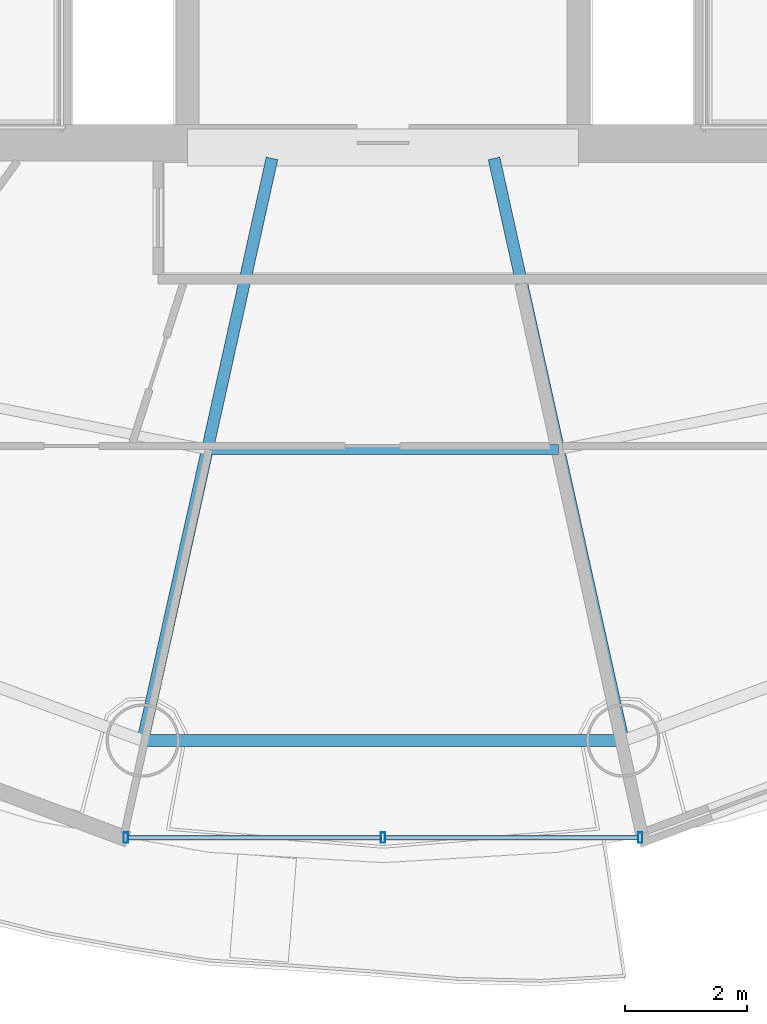
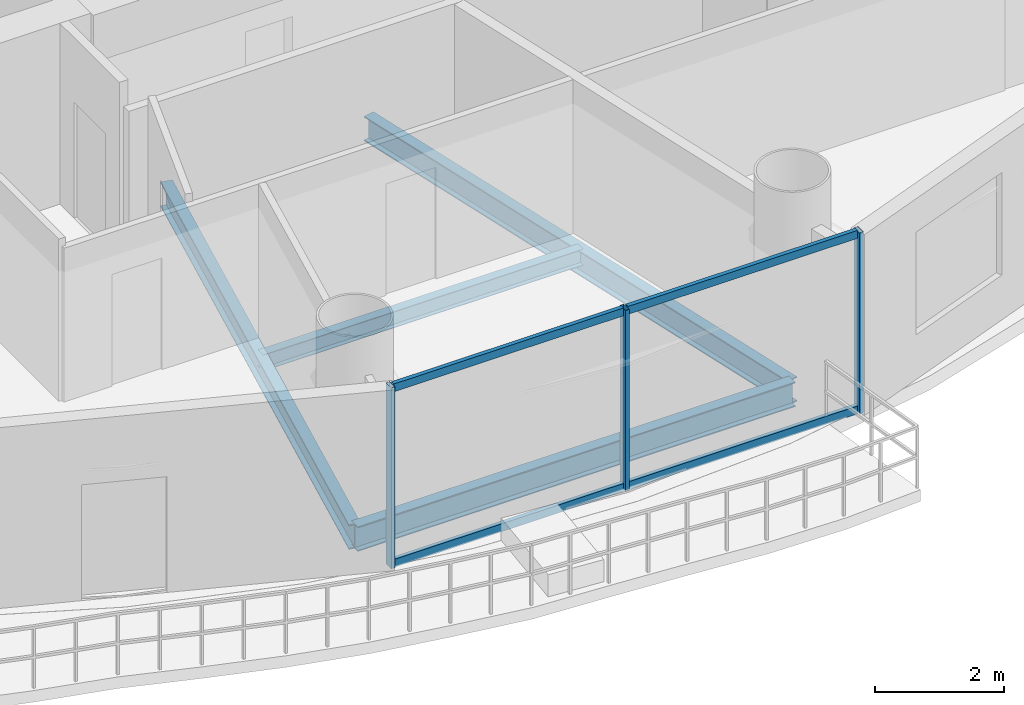
# One storey, part 5 of 27: 7 members, 4 beams, 1 element without a shape of its own.
"""IFC4 building model written with IfcOpenShell, lengths in metres."""

from ifc_helpers import new_model, si_unit, direction, frame, origin, origin_2d, place, context, subcontext, project, spatial, hollow_rectangle, i_section, extrude, source, transform, mapped, material, material_profile, profile_set, type_object, element, aggregate, save


model = new_model("IFC4")

# Units and contexts
model_context = context("Model", 3, precision=1e-05, world=origin(), true_north=direction((-0.2419218956, 0.970295726276)))
body_context = subcontext(model_context, "Body", "Model", "MODEL_VIEW")
ifc_project = project(units=[si_unit("LENGTHUNIT", "METRE"), si_unit("AREAUNIT", "SQUARE_METRE"), si_unit("VOLUMEUNIT", "CUBIC_METRE"), si_unit("PLANEANGLEUNIT", "RADIAN"), si_unit("MASSUNIT", "GRAM", prefix="KILO")], contexts=[model_context])

# Site, building, storey
site_placement = place(None, origin())
site = spatial("IfcSite", under=ifc_project, at=site_placement, CompositionType="ELEMENT")
building_placement = place(site_placement, origin())
building = spatial("IfcBuilding", under=site, at=building_placement, Name="Cobrevalo Terracotta Tower", CompositionType="ELEMENT")
storey_placement = place(building_placement, frame((0.0, 0.0, 194.89990234375)))
storey = spatial("IfcBuildingStorey", under=building, at=storey_placement, Name="L51", CompositionType="ELEMENT", Elevation=194.89990234375)

# Beams
ifc_material_1 = material(Name="Steel S355", Category="steel")
ifc_material_profile_1 = material_profile(ifc_material_1, i_section(OverallWidth=0.194091796875, OverallDepth=0.468994140625, WebThickness=0.011474609375, FlangeThickness=0.0205078125, at=origin_2d()), Name="W 460x106")
ifc_profile_set_1 = profile_set([ifc_material_profile_1], Name="Steel S355")
beam_type_1 = type_object("IfcBeamType", Name="Structural Beam W 460x106 (Steel S355)", PredefinedType="BEAM", material=ifc_profile_set_1)
for number, where, z_axis, x_axis, name in (
    (1, (34.06884765625, 9.096923828125, -0.49951171875), (0.216782061165, 0.976220025382, 0.0), (-0.976220025382, 0.216782061165, 0.0), "L51 radial floor girder 12"),
    (2, (41.93115234375, 9.096923828125, -0.49951171875), (-0.216782061165, 0.976220025382, 0.0), (-0.976220025382, -0.216782061165, 0.0), "L51 radial floor girder 13"),
):
    element("IfcBeam", number, at=place(storey_placement, frame(where, z_axis=z_axis, x_axis=x_axis)), inside=storey, type_object=beam_type_1, Name=name, PredefinedType="BEAM", context=body_context, shape_type="SweptSolid", body=[
        extrude(i_section(OverallWidth=0.194091796875, OverallDepth=0.468994140625, WebThickness=0.011474609375, FlangeThickness=0.0205078125, at=origin_2d()), origin(), (0.0, 0.0, 1.0), 9.755126953125),
    ])
ifc_material_profile_2 = material_profile(ifc_material_1, i_section(OverallWidth=0.1650390625, OverallDepth=0.31005859375, WebThickness=0.005859375, FlangeThickness=0.009765625, at=origin_2d()), Name="W 310x38.7")
ifc_profile_set_2 = profile_set([ifc_material_profile_2], Name="Steel S355")
beam_type_2 = type_object("IfcBeamType", Name="Structural Joist W 310x38.7 (Steel S355)", PredefinedType="JOIST", material=ifc_profile_set_2)
beam_1_placement = place(storey_placement, frame((35.126220703125, 13.8583984375, -0.419921875), z_axis=(1.0, 0.0, 0.0), x_axis=(0.0, 1.0, 0.0)))
element("IfcBeam", 3, at=beam_1_placement, inside=storey, type_object=beam_type_2, Name="L51 circumferential secondary floor joist 12", PredefinedType="JOIST", context=body_context, shape_type="SweptSolid", body=[
    extrude(i_section(OverallWidth=0.1650390625, OverallDepth=0.31005859375, WebThickness=0.005859375, FlangeThickness=0.009765625, at=origin_2d()), origin(), (0.0, 0.0, 1.0), 5.74755859375),
])
ifc_material_profile_3 = material_profile(ifc_material_1, i_section(OverallWidth=0.194091796875, OverallDepth=0.468994140625, WebThickness=0.011474609375, FlangeThickness=0.0205078125, at=origin_2d()), Name="W 460x106")
ifc_profile_set_3 = profile_set([ifc_material_profile_3], Name="Steel S355")
beam_type_3 = type_object("IfcBeamType", Name="Structural Spandrel W 460x106 (Steel S355)", PredefinedType="SPANDREL", material=ifc_profile_set_3)
beam_2_placement = place(storey_placement, frame((34.06884765625, 9.096923828125, -0.49951171875), z_axis=(1.0, 0.0, 0.0), x_axis=(0.0, 1.0, 0.0)))
element("IfcBeam", 4, at=beam_2_placement, inside=storey, type_object=beam_type_3, Name="L51 perimeter ring spandrel 12", PredefinedType="SPANDREL", context=body_context, shape_type="SweptSolid", body=[
    extrude(i_section(OverallWidth=0.194091796875, OverallDepth=0.468994140625, WebThickness=0.011474609375, FlangeThickness=0.0205078125, at=origin_2d()), origin(), (0.0, 0.0, 1.0), 7.8623046875),
])

# Curtain wall, members
ifc_material_2 = material(Name="Anodized aluminium", Category="aluminium")
curtain_wall_type = type_object("IfcCurtainWallType", Name="Mid-tower high-wind unitised curtain wall CW-U2", PredefinedType="NOTDEFINED", material=ifc_material_2)
curtain_wall_placement = place(storey_placement, origin())
curtain_wall = element("IfcCurtainWall", 5, at=curtain_wall_placement, inside=storey, type_object=curtain_wall_type, Name="L51 curtain wall CW-L51-S12", PredefinedType="NOTDEFINED")
ifc_material_profile_4 = material_profile(ifc_material_2, hollow_rectangle(XDim=0.074951171875, YDim=0.14990234375, WallThickness=0.00439453125, at=origin_2d()), Name="CWT 75x150")
ifc_profile_set_4 = profile_set([ifc_material_profile_4], Name="Anodized aluminium")
member_type_1 = type_object("IfcMemberType", Name="Tower unitised aluminium transom 75x150", PredefinedType="USERDEFINED", material=ifc_profile_set_4)
shared_shape_1 = source(origin(), body_context, "Body", "SweptSolid", [
    extrude(hollow_rectangle(XDim=0.074951171875, YDim=0.14990234375, WallThickness=0.00439453125, at=origin_2d()), origin(), (0.0, 0.0, 1.0), 4.127197265625),
])
member_1_placement = place(storey_placement, frame((33.832763671875, 7.508056640625, 0.050048828125), z_axis=(1.0, 0.0, 0.0), x_axis=(0.0, 1.0, 0.0)))
member_1 = element("IfcMember", 6, at=member_1_placement, type_object=member_type_1, Name="CW-L51-S12 transom B01-T1", ObjectType="TRANSOM", PredefinedType="USERDEFINED", context=body_context, shape_type="MappedRepresentation", body=[
    mapped(shared_shape_1, transform((0.0, 0.0, 0.0), scale=1.0)),
])
member_2_placement = place(storey_placement, frame((33.832763671875, 7.508056640625, 3.385009765625), z_axis=(1.0, 0.0, 0.0), x_axis=(0.0, 1.0, 0.0)))
member_2 = element("IfcMember", 7, at=member_2_placement, type_object=member_type_1, Name="CW-L51-S12 transom B01-T2", ObjectType="TRANSOM", PredefinedType="USERDEFINED", context=body_context, shape_type="MappedRepresentation", body=[
    mapped(shared_shape_1, transform((0.0, 0.0, 0.0), scale=1.0)),
])
member_3_placement = place(storey_placement, frame((38.0400390625, 7.508056640625, 0.050048828125), z_axis=(1.0, 0.0, 0.0), x_axis=(0.0, 1.0, 0.0)))
member_3 = element("IfcMember", 8, at=member_3_placement, type_object=member_type_1, Name="CW-L51-S12 transom B02-T1", ObjectType="TRANSOM", PredefinedType="USERDEFINED", context=body_context, shape_type="MappedRepresentation", body=[
    mapped(shared_shape_1, transform((0.0, 0.0, 0.0), scale=1.0)),
])
member_4_placement = place(storey_placement, frame((38.0400390625, 7.508056640625, 3.385009765625), z_axis=(1.0, 0.0, 0.0), x_axis=(0.0, 1.0, 0.0)))
member_4 = element("IfcMember", 9, at=member_4_placement, type_object=member_type_1, Name="CW-L51-S12 transom B02-T2", ObjectType="TRANSOM", PredefinedType="USERDEFINED", context=body_context, shape_type="MappedRepresentation", body=[
    mapped(shared_shape_1, transform((0.0, 0.0, 0.0), scale=1.0)),
])
ifc_material_profile_5 = material_profile(ifc_material_2, hollow_rectangle(XDim=0.070068359375, YDim=0.169921875, WallThickness=0.00439453125, at=origin_2d()), Name="CWM 70x170")
ifc_profile_set_5 = profile_set([ifc_material_profile_5], Name="Anodized aluminium")
member_type_2 = type_object("IfcMemberType", Name="Upper tower unitised mullion 70x170", PredefinedType="MULLION", material=ifc_profile_set_5)
shared_shape_2 = source(origin(), body_context, "Body", "SweptSolid", [
    extrude(hollow_rectangle(XDim=0.070068359375, YDim=0.169921875, WallThickness=0.00439453125, at=origin_2d()), origin(), (0.0, 0.0, 1.0), 3.43505859375),
])
member_5_placement = place(storey_placement, frame((33.79296875, 7.508056640625, 0.0), z_axis=(0.0, 0.0, 1.0), x_axis=(1.0, 0.0, 0.0)))
member_5 = element("IfcMember", 10, at=member_5_placement, type_object=member_type_2, Name="CW-L51-S12 vertical mullion 01", PredefinedType="MULLION", context=body_context, shape_type="MappedRepresentation", body=[
    mapped(shared_shape_2, transform((0.0, 0.0, 0.0), scale=1.0)),
])
member_6_placement = place(storey_placement, frame((38.0, 7.508056640625, 0.0), z_axis=(0.0, 0.0, 1.0), x_axis=(1.0, 0.0, 0.0)))
member_6 = element("IfcMember", 11, at=member_6_placement, type_object=member_type_2, Name="CW-L51-S12 vertical mullion 02", PredefinedType="MULLION", context=body_context, shape_type="MappedRepresentation", body=[
    mapped(shared_shape_2, transform((0.0, 0.0, 0.0), scale=1.0)),
])
member_7_placement = place(storey_placement, frame((42.20703125, 7.508056640625, 0.0), z_axis=(0.0, 0.0, 1.0), x_axis=(1.0, 0.0, 0.0)))
member_7 = element("IfcMember", 12, at=member_7_placement, type_object=member_type_2, Name="CW-L51-S12 vertical mullion 03", PredefinedType="MULLION", context=body_context, shape_type="MappedRepresentation", body=[
    mapped(shared_shape_2, transform((0.0, 0.0, 0.0), scale=1.0)),
])
aggregate(curtain_wall, [member_5, member_6, member_7, member_1, member_2, member_3, member_4])

save(model, "model.ifc")
